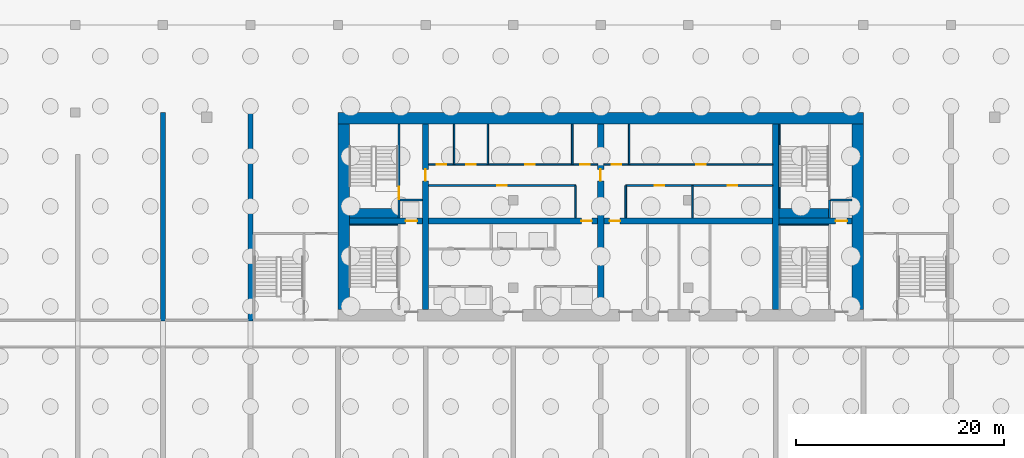
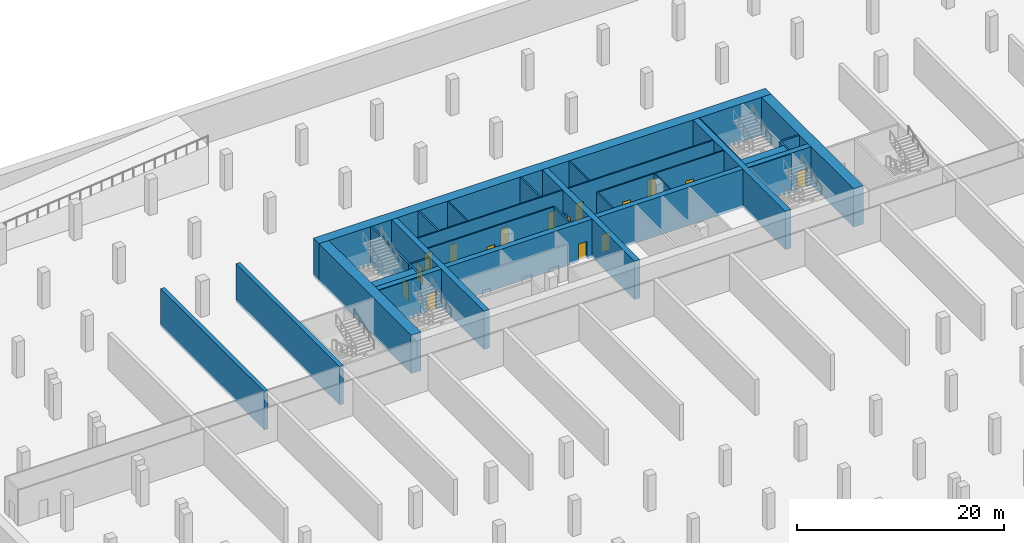
# One storey, part 9 of 17: 33 walls, 16 doors, 16 openings.
"""IFC4 building model written with IfcOpenShell, lengths in metres."""

import ifcopenshell
import ifcopenshell.guid

model = None  # the IFC model being written
_history = None  # IfcOwnerHistory: only IFC2X3 demands one
_inside = {}  # id of a spatial element -> (the spatial element, [elements in it])
_under = {}  # id of a project, library or spatial element -> (it, [spatial elements below it])
_declared = {}  # id of a project -> (the project, [libraries it declares])
_typed = {}  # id of a type object -> (the type object, [elements of that type])
_made_of = {}  # id of a material, layer set ... -> (it, [elements and type objects made of it])


def new_model(schema):
    """Start an empty IFC model of exactly this schema.

    Asked for "IFC4X3", IfcOpenShell would pick the latest addendum, in which some entities
    have other attributes; the version numbers below select the first issue.
    IFC2X3 requires an IfcOwnerHistory on every rooted entity: one is made here for all.
    """
    global model, _history
    if schema == "IFC4X3":
        model = ifcopenshell.file(schema_version=(4, 3, 0, 0))
    else:
        model = ifcopenshell.file(schema=schema)
    _inside.clear()
    _under.clear()
    _declared.clear()
    _typed.clear()
    _made_of.clear()
    _history = None
    if model.schema == "IFC2X3":
        org = make("IfcOrganization", Name="unknown")
        user = make(
            "IfcPersonAndOrganization",
            ThePerson=make("IfcPerson", FamilyName="unknown"),
            TheOrganization=org,
        )
        app = make(
            "IfcApplication",
            ApplicationDeveloper=org,
            Version="unknown",
            ApplicationFullName="unknown",
            ApplicationIdentifier="unknown",
        )
        _history = make(
            "IfcOwnerHistory",
            OwningUser=user,
            OwningApplication=app,
            ChangeAction="ADDED",
            CreationDate=0,
        )
    return model


def make(cls, **values):
    """One entity of the class cls with the attributes given. An attribute that is None is left unset."""
    return model.create_entity(
        cls, **{name: value for name, value in values.items() if value is not None}
    )


def rooted(cls, **values):
    """An entity with a GlobalId (a new one), such as an element, a storey or a relation."""
    return make(cls, GlobalId=ifcopenshell.guid.new(), OwnerHistory=_history, **values)


def si_unit(unit_type, name, prefix=None):
    """IfcSIUnit, for example si_unit("LENGTHUNIT", "METRE", prefix="MILLI")."""
    return make("IfcSIUnit", UnitType=unit_type, Prefix=prefix, Name=name)


def assignment(units):
    """IfcUnitAssignment: the units of a project."""
    return None if units is None else make("IfcUnitAssignment", Units=units)


def point(xyz):
    """IfcCartesianPoint."""
    return None if xyz is None else make("IfcCartesianPoint", Coordinates=xyz)


def direction(xyz):
    """IfcDirection."""
    return None if xyz is None else make("IfcDirection", DirectionRatios=xyz)


def frame(location, z_axis=None, x_axis=None):
    """IfcAxis2Placement3D, a coordinate frame: its origin and axes. An axis left out is left unset."""
    return make(
        "IfcAxis2Placement3D",
        Location=point(location),
        Axis=direction(z_axis),
        RefDirection=direction(x_axis),
    )


def frame_2d(location, x_axis=None):
    """IfcAxis2Placement2D, a coordinate frame in the plane: its origin and x axis."""
    return make(
        "IfcAxis2Placement2D", Location=point(location), RefDirection=direction(x_axis)
    )


def origin():
    """The frame at (0, 0, 0) with its axes left unset."""
    return frame((0.0, 0.0, 0.0))


def place(relative_to, where):
    """IfcLocalPlacement: puts the frame where relative to a parent placement (None: the world)."""
    return make(
        "IfcLocalPlacement", PlacementRelTo=relative_to, RelativePlacement=where
    )


def context(
    kind, dimensions, precision=None, world=None, true_north=None, identifier=None
):
    """IfcGeometricRepresentationContext, for example the 3D "Model" context."""
    return make(
        "IfcGeometricRepresentationContext",
        ContextIdentifier=identifier,
        ContextType=kind,
        CoordinateSpaceDimension=dimensions,
        Precision=precision,
        WorldCoordinateSystem=world,
        TrueNorth=true_north,
    )


def subcontext(parent, identifier, kind, view, scale=None):
    """IfcGeometricRepresentationSubContext, for example "Body" below "Model"."""
    return make(
        "IfcGeometricRepresentationSubContext",
        ContextIdentifier=identifier,
        ContextType=kind,
        ParentContext=parent,
        TargetScale=scale,
        TargetView=view,
    )


def project(units=None, contexts=None):
    """IfcProject with its units and contexts."""
    return rooted(
        "IfcProject",
        Name="project",
        RepresentationContexts=contexts,
        UnitsInContext=assignment(units),
    )


def spatial(cls, under=None, at=None, **own):
    """A site, building, storey or space (cls), placed at a placement, below another one or the project."""
    s = rooted(cls, ObjectPlacement=at, **own)
    if under is not None:
        _under.setdefault(under.id(), (under, []))[1].append(s)
    return s


def profile(cls, at=None, kind="AREA", **sizes):
    """A parametric profile (cls). Its sizes go by their IFC names, for example OverallWidth=200.0."""
    return make(cls, ProfileType=kind, Position=at, **sizes)


def rectangle(**sizes):
    """IfcRectangleProfileDef."""
    return profile("IfcRectangleProfileDef", **sizes)


def extrude(swept, where, along, depth):
    """IfcExtrudedAreaSolid: the profile swept, set in the frame where, extruded along a direction by depth."""
    return make(
        "IfcExtrudedAreaSolid",
        SweptArea=swept,
        Position=where,
        ExtrudedDirection=direction(along),
        Depth=depth,
    )


def shape(context_of_items, identifier, shape_type, items):
    """IfcShapeRepresentation: the items that make up one representation, for example the "Body"."""
    return make(
        "IfcShapeRepresentation",
        ContextOfItems=context_of_items,
        RepresentationIdentifier=identifier,
        RepresentationType=shape_type,
        Items=items,
    )


def source(mapping_origin, context_of_items, identifier, shape_type, items):
    """IfcRepresentationMap: a shape defined once, which mapped items show again and again."""
    return make(
        "IfcRepresentationMap",
        MappingOrigin=mapping_origin,
        MappedRepresentation=shape(context_of_items, identifier, shape_type, items),
    )


def transform(
    local_origin,
    x_axis=None,
    y_axis=None,
    z_axis=None,
    scale=None,
    scale2=None,
    scale3=None,
    uniform=True,
):
    """IfcCartesianTransformationOperator3D, or its non-uniform kind. x_axis, y_axis, z_axis: its Axis1, 2, 3."""
    if uniform:
        return make(
            "IfcCartesianTransformationOperator3D",
            Axis1=direction(x_axis),
            Axis2=direction(y_axis),
            LocalOrigin=point(local_origin),
            Scale=scale,
            Axis3=direction(z_axis),
        )
    return make(
        "IfcCartesianTransformationOperator3DnonUniform",
        Axis1=direction(x_axis),
        Axis2=direction(y_axis),
        LocalOrigin=point(local_origin),
        Scale=scale,
        Axis3=direction(z_axis),
        Scale2=scale2,
        Scale3=scale3,
    )


def mapped(mapping_source, mapping_target):
    """IfcMappedItem: shows the shape of a source again, moved by a transform."""
    return make(
        "IfcMappedItem", MappingSource=mapping_source, MappingTarget=mapping_target
    )


def material(Name=None, Category=None):
    """IfcMaterial."""
    return make("IfcMaterial", Name=Name, Category=Category)


def layer(
    of_material, thickness, ventilated=None, Name=None, Category=None, Priority=None
):
    """IfcMaterialLayer: one layer of a wall or slab, of a material (None: an air gap)."""
    return make(
        "IfcMaterialLayer",
        Material=of_material,
        LayerThickness=thickness,
        IsVentilated=ventilated,
        Name=Name,
        Category=Category,
        Priority=Priority,
    )


def layer_set(layers, Name=None):
    """IfcMaterialLayerSet."""
    return make("IfcMaterialLayerSet", MaterialLayers=layers, LayerSetName=Name)


def made_of(thing, what):
    """Note that an element or type object is made of a material, layer set ...; save() writes the relation."""
    if what is not None:
        _made_of.setdefault(what.id(), (what, []))[1].append(thing)
    return thing


def type_object(cls, material=None, **own):
    """A type object (cls), such as IfcWallType, which elements share."""
    return made_of(rooted(cls, **own), material)


def element(
    cls,
    number,
    at=None,
    inside=None,
    cuts=None,
    type_object=None,
    material=None,
    context=None,
    identifier="Body",
    shape_type=None,
    held_by="IfcProductDefinitionShape",
    body=None,
    shapes=None,
    **own,
):
    """One element of the class cls, such as IfcWall. Its Tag is "e" and its number.

    at: its placement. inside: the storey or other place that contains it. cuts: it is an
    opening in that element (IfcRelVoidsElement). A single representation is given by context,
    identifier, shape_type and body (its items); several are given by shapes. held_by: the class
    of the entity that holds the representations. save() writes the other relations.
    """
    e = rooted(cls, Tag="e%d" % number, ObjectPlacement=at, **own)
    if body is not None:
        shapes = [shape(context, identifier, shape_type, body)]
    if shapes is not None:
        e.Representation = make(held_by, Representations=shapes)
    if inside is not None:
        _inside.setdefault(inside.id(), (inside, []))[1].append(e)
    if cuts is not None:
        rooted(
            "IfcRelVoidsElement", RelatingBuildingElement=cuts, RelatedOpeningElement=e
        )
    if type_object is not None:
        _typed.setdefault(type_object.id(), (type_object, []))[1].append(e)
    return made_of(e, material)


def fill(opening, filler):
    """IfcRelFillsElement: the door or window that sits in an opening."""
    return rooted(
        "IfcRelFillsElement",
        RelatingOpeningElement=opening,
        RelatedBuildingElement=filler,
    )


def aggregate(whole, parts):
    """IfcRelAggregates: a whole, such as a stair, and the parts it consists of."""
    return rooted("IfcRelAggregates", RelatingObject=whole, RelatedObjects=parts)


def save(model, path):
    """Write the relations noted so far, then the file.

    IfcRelAggregates (storeys below a building ...), IfcRelContainedInSpatialStructure (elements
    in a storey), IfcRelDefinesByType, IfcRelAssociatesMaterial and IfcRelDeclares: one each for
    every whole, place, type object, material and project.
    """
    for whole, parts in _under.values():
        aggregate(whole, parts)
    for where, things in _inside.values():
        rooted(
            "IfcRelContainedInSpatialStructure",
            RelatedElements=things,
            RelatingStructure=where,
        )
    for kind, things in _typed.values():
        rooted("IfcRelDefinesByType", RelatedObjects=things, RelatingType=kind)
    for what, things in _made_of.values():
        rooted("IfcRelAssociatesMaterial", RelatedObjects=things, RelatingMaterial=what)
    for by, libraries in _declared.values():
        rooted("IfcRelDeclares", RelatingContext=by, RelatedDefinitions=libraries)
    model.write(path)


model = new_model("IFC4")

# Units and contexts
model_context = context("Model", 3, precision=1e-05, world=origin(), true_north=direction((0.0, 1.0)))
body_context = subcontext(model_context, "Body", "Model", "MODEL_VIEW")
ifc_project = project(units=[si_unit("LENGTHUNIT", "METRE"), si_unit("AREAUNIT", "SQUARE_METRE"), si_unit("VOLUMEUNIT", "CUBIC_METRE"), si_unit("PLANEANGLEUNIT", "RADIAN"), si_unit("MASSUNIT", "GRAM", prefix="KILO")], contexts=[model_context])

# Site, building, storey
site_placement = place(None, origin())
site = spatial("IfcSite", under=ifc_project, at=site_placement, CompositionType="ELEMENT")
building_placement = place(site_placement, origin())
building = spatial("IfcBuilding", under=site, at=building_placement, Name="Vanashikhar Sky Hotel", CompositionType="ELEMENT")
storey_placement = place(building_placement, frame((0.0, 0.0, -13.5)))
storey = spatial("IfcBuildingStorey", under=building, at=storey_placement, Name="B3", CompositionType="ELEMENT", Elevation=-13.5)

# Walls
ifc_material_1 = material(Name="Concrete M80", Category="concrete")
ifc_layer_1 = layer(ifc_material_1, 1.10009765625)
ifc_layer_set_1 = layer_set([ifc_layer_1], Name="RC core shell wall 1100 Concrete M80")
wall_type_1 = type_object("IfcWallType", Name="RC core shell wall 1100 Concrete M80", PredefinedType="SHEAR", material=ifc_layer_set_1)
shared_shape_1 = source(origin(), body_context, "Body", "SweptSolid", [
    extrude(rectangle(XDim=50.400146484375, YDim=1.10009765625, at=frame_2d((25.2001953125, 0.0))), origin(), (0.0, 0.0, 1.0), 4.52001953125),
])
wall_1_placement = place(storey_placement, frame((25.199951171875, 41.449951171875, -0.300048828125), z_axis=(0.0, 0.0, 1.0), x_axis=(1.0, 0.0, 0.0)))
element("IfcWall", 1, at=wall_1_placement, inside=storey, type_object=wall_type_1, Name="KW-B3-KN", PredefinedType="SHEAR", context=body_context, shape_type="MappedRepresentation", body=[
    mapped(shared_shape_1, transform((0.0, 0.0, 0.0), scale=1.0)),
])
shared_shape_2 = source(origin(), body_context, "Body", "SweptSolid", [
    extrude(rectangle(XDim=17.7998046875, YDim=1.10009765625, at=frame_2d((8.89990234375, 0.0))), origin(), (0.0, 0.0, 1.0), 4.52001953125),
])
for number, where, z_axis, x_axis, name in (
    (2, (25.75, 23.10009765625, -0.300048828125), (0.0, 0.0, 1.0), (0.0, 1.0, 0.0), "KW-B3-KW"),
    (3, (75.050048828125, 23.10009765625, -0.300048828125), (0.0, 0.0, 1.0), (0.0, 1.0, 0.0), "KW-B3-KE"),
):
    element("IfcWall", number, at=place(storey_placement, frame(where, z_axis=z_axis, x_axis=x_axis)), inside=storey, type_object=wall_type_1, Name=name, PredefinedType="SHEAR", context=body_context, shape_type="MappedRepresentation", body=[
        mapped(shared_shape_2, transform((0.0, 0.0, 0.0), scale=1.0)),
    ])

# Wall, opening, door
ifc_layer_2 = layer(ifc_material_1, 0.60009765625)
ifc_layer_set_2 = layer_set([ifc_layer_2], Name="RC core inner wall 600 Concrete M80")
wall_type_2 = type_object("IfcWallType", Name="RC core inner wall 600 Concrete M80", PredefinedType="SHEAR", material=ifc_layer_set_2)
shared_shape_3 = source(origin(), body_context, "Body", "SweptSolid", [
    extrude(rectangle(XDim=17.7998046875, YDim=0.60009765625, at=frame_2d((8.89990234375, 0.0))), origin(), (0.0, 0.0, 1.0), 4.52001953125),
])
wall_2_placement = place(storey_placement, frame((33.60009765625, 23.10009765625, -0.300048828125), z_axis=(0.0, 0.0, 1.0), x_axis=(0.0, 1.0, 0.0)))
wall_2 = element("IfcWall", 4, at=wall_2_placement, inside=storey, type_object=wall_type_2, Name="KW-B3-KX1", PredefinedType="SHEAR", context=body_context, shape_type="MappedRepresentation", body=[
    mapped(shared_shape_3, transform((0.0, 0.0, 0.0), scale=1.0)),
])
shared_shape_4 = source(origin(), body_context, "Body", "SweptSolid", [
    extrude(rectangle(XDim=1.10009765625, YDim=2.10009765625, at=frame_2d((0.550048828125, 1.050048828125))), frame((0.0, 0.31005859375, 0.0), z_axis=(0.0, -1.0, 0.0), x_axis=(1.0, 0.0, 0.0)), (0.0, 0.0, 1.0), 0.6201171875),
])
opening_1_placement = place(wall_2_placement, frame((12.35009765625, 0.0, 0.0)))
opening_1 = element("IfcOpeningElement", 5, at=opening_1_placement, cuts=wall_2, Name="Opening DC-4-C", PredefinedType="OPENING", context=body_context, shape_type="MappedRepresentation", body=[
    mapped(shared_shape_4, transform((0.0, 0.0, 0.0), scale=1.0)),
])
ifc_material_2 = material(Name="Steel", Category="steel")
door_type_1 = type_object("IfcDoorType", Name="Service door 1100 FD60", OperationType="NOTDEFINED", PredefinedType="DOOR", material=ifc_material_2)
shared_shape_5 = source(origin(), body_context, "Body", "SweptSolid", [
    extrude(rectangle(XDim=1.10009765625, YDim=2.10009765625, at=frame_2d((0.550048828125, 1.050048828125))), frame((0.0, 0.02490234375, 0.0), z_axis=(0.0, -1.0, 0.0), x_axis=(1.0, 0.0, 0.0)), (0.0, 0.0, 1.0), 0.050048828125),
])
door_1_placement = place(opening_1_placement, origin())
door_1 = element("IfcDoor", 6, at=door_1_placement, inside=storey, type_object=door_type_1, Name="Service door 1100 FD60", OperationType="SINGLE_SWING_RIGHT", OverallHeight=2.10009765625, OverallWidth=1.10009765625, PredefinedType="DOOR", context=body_context, shape_type="MappedRepresentation", body=[
    mapped(shared_shape_5, transform((0.0, 0.0, 0.0), scale=1.0)),
])
fill(opening_1, door_1)

wall_3_placement = place(storey_placement, frame((50.39990234375, 23.10009765625, -0.300048828125), z_axis=(0.0, 0.0, 1.0), x_axis=(0.0, 1.0, 0.0)))
wall_3 = element("IfcWall", 7, at=wall_3_placement, inside=storey, type_object=wall_type_2, Name="KW-B3-KX2", PredefinedType="SHEAR", context=body_context, shape_type="MappedRepresentation", body=[
    mapped(shared_shape_3, transform((0.0, 0.0, 0.0), scale=1.0)),
])
opening_2_placement = place(wall_3_placement, frame((12.35009765625, 0.0, 0.0)))
opening_2 = element("IfcOpeningElement", 8, at=opening_2_placement, cuts=wall_3, Name="Opening DC-4-C", PredefinedType="OPENING", context=body_context, shape_type="MappedRepresentation", body=[
    mapped(shared_shape_4, transform((0.0, 0.0, 0.0), scale=1.0)),
])
door_2_placement = place(opening_2_placement, origin())
door_2 = element("IfcDoor", 9, at=door_2_placement, inside=storey, type_object=door_type_1, Name="Service door 1100 FD60", OperationType="SINGLE_SWING_LEFT", OverallHeight=2.10009765625, OverallWidth=1.10009765625, PredefinedType="DOOR", context=body_context, shape_type="MappedRepresentation", body=[
    mapped(shared_shape_5, transform((0.0, 0.0, 0.0), scale=1.0)),
])
fill(opening_2, door_2)

# Wall
wall_4_placement = place(storey_placement, frame((67.199951171875, 23.10009765625, -0.300048828125), z_axis=(0.0, 0.0, 1.0), x_axis=(0.0, 1.0, 0.0)))
element("IfcWall", 10, at=wall_4_placement, inside=storey, type_object=wall_type_2, Name="KW-B3-KX3", PredefinedType="SHEAR", context=body_context, shape_type="MappedRepresentation", body=[
    mapped(shared_shape_3, transform((0.0, 0.0, 0.0), scale=1.0)),
])

# Wall, opening, door
shared_shape_6 = source(origin(), body_context, "Body", "SweptSolid", [
    extrude(rectangle(XDim=7.0, YDim=0.60009765625, at=frame_2d((3.5, 0.0))), origin(), (0.0, 0.0, 1.0), 4.52001953125),
])
wall_5_placement = place(storey_placement, frame((26.300048828125, 31.60009765625, -0.300048828125), z_axis=(0.0, 0.0, 1.0), x_axis=(1.0, 0.0, 0.0)))
wall_5 = element("IfcWall", 11, at=wall_5_placement, inside=storey, type_object=wall_type_2, Name="KW-B3-KY1", PredefinedType="SHEAR", context=body_context, shape_type="MappedRepresentation", body=[
    mapped(shared_shape_6, transform((0.0, 0.0, 0.0), scale=1.0)),
])
opening_3_placement = place(wall_5_placement, frame((5.375, 0.0, 0.0)))
opening_3 = element("IfcOpeningElement", 12, at=opening_3_placement, cuts=wall_5, Name="Opening LD", PredefinedType="OPENING", context=body_context, shape_type="MappedRepresentation", body=[
    mapped(shared_shape_4, transform((0.0, 0.0, 0.0), scale=1.0)),
])
ifc_material_3 = material(Name="Stainless steel", Category="steel")
door_type_2 = type_object("IfcDoorType", Name="Lift landing door 1100", OperationType="NOTDEFINED", PredefinedType="DOOR", material=ifc_material_3)
door_3_placement = place(opening_3_placement, origin())
door_3 = element("IfcDoor", 13, at=door_3_placement, inside=storey, type_object=door_type_2, Name="Lift landing door 1100", OperationType="SLIDING_TO_RIGHT", OverallHeight=2.10009765625, OverallWidth=1.10009765625, PredefinedType="DOOR", context=body_context, shape_type="MappedRepresentation", body=[
    mapped(shared_shape_5, transform((0.0, 0.0, 0.0), scale=1.0)),
])
fill(opening_3, door_3)

wall_6_placement = place(storey_placement, frame((67.5, 31.60009765625, -0.300048828125), z_axis=(0.0, 0.0, 1.0), x_axis=(1.0, 0.0, 0.0)))
wall_6 = element("IfcWall", 14, at=wall_6_placement, inside=storey, type_object=wall_type_2, Name="KW-B3-KY4", PredefinedType="SHEAR", context=body_context, shape_type="MappedRepresentation", body=[
    mapped(shared_shape_6, transform((0.0, 0.0, 0.0), scale=1.0)),
])
opening_4_placement = place(wall_6_placement, frame((5.425048828125, 0.0, 0.0)))
opening_4 = element("IfcOpeningElement", 15, at=opening_4_placement, cuts=wall_6, Name="Opening LD", PredefinedType="OPENING", context=body_context, shape_type="MappedRepresentation", body=[
    mapped(shared_shape_4, transform((0.0, 0.0, 0.0), scale=1.0)),
])
door_4_placement = place(opening_4_placement, origin())
door_4 = element("IfcDoor", 16, at=door_4_placement, inside=storey, type_object=door_type_2, Name="Lift landing door 1100", OperationType="SLIDING_TO_RIGHT", OverallHeight=2.10009765625, OverallWidth=1.10009765625, PredefinedType="DOOR", context=body_context, shape_type="MappedRepresentation", body=[
    mapped(shared_shape_5, transform((0.0, 0.0, 0.0), scale=1.0)),
])
fill(opening_4, door_4)

shared_shape_7 = source(origin(), body_context, "Body", "SweptSolid", [
    extrude(rectangle(XDim=16.2001953125, YDim=0.60009765625, at=frame_2d((8.10009765625, 0.0))), origin(), (0.0, 0.0, 1.0), 4.52001953125),
])
wall_7_placement = place(storey_placement, frame((33.89990234375, 31.60009765625, -0.300048828125), z_axis=(0.0, 0.0, 1.0), x_axis=(1.0, 0.0, 0.0)))
wall_7 = element("IfcWall", 17, at=wall_7_placement, inside=storey, type_object=wall_type_2, Name="KW-B3-KY2", PredefinedType="SHEAR", context=body_context, shape_type="MappedRepresentation", body=[
    mapped(shared_shape_7, transform((0.0, 0.0, 0.0), scale=1.0)),
])
shared_shape_8 = source(origin(), body_context, "Body", "SweptSolid", [
    extrude(rectangle(XDim=1.0, YDim=2.10009765625, at=frame_2d((0.5, 1.050048828125))), frame((0.0, 0.31005859375, 0.0), z_axis=(0.0, -1.0, 0.0), x_axis=(1.0, 0.0, 0.0)), (0.0, 0.0, 1.0), 0.6201171875),
])
opening_5_placement = place(wall_7_placement, frame((14.64990234375, 0.0, 0.0)))
opening_5 = element("IfcOpeningElement", 18, at=opening_5_placement, cuts=wall_7, Name="Opening DC-4", PredefinedType="OPENING", context=body_context, shape_type="MappedRepresentation", body=[
    mapped(shared_shape_8, transform((0.0, 0.0, 0.0), scale=1.0)),
])
door_type_3 = type_object("IfcDoorType", Name="Service door 1000 FD60", OperationType="NOTDEFINED", PredefinedType="DOOR", material=ifc_material_2)
shared_shape_9 = source(origin(), body_context, "Body", "SweptSolid", [
    extrude(rectangle(XDim=1.0, YDim=2.10009765625, at=frame_2d((0.5, 1.050048828125))), frame((0.0, 0.02490234375, 0.0), z_axis=(0.0, -1.0, 0.0), x_axis=(1.0, 0.0, 0.0)), (0.0, 0.0, 1.0), 0.050048828125),
])
door_5_placement = place(opening_5_placement, origin())
door_5 = element("IfcDoor", 19, at=door_5_placement, inside=storey, type_object=door_type_3, Name="Service door 1000 FD60", OperationType="SINGLE_SWING_RIGHT", OverallHeight=2.10009765625, OverallWidth=1.0, PredefinedType="DOOR", context=body_context, shape_type="MappedRepresentation", body=[
    mapped(shared_shape_9, transform((0.0, 0.0, 0.0), scale=1.0)),
])
fill(opening_5, door_5)

shared_shape_10 = source(origin(), body_context, "Body", "SweptSolid", [
    extrude(rectangle(XDim=16.199951171875, YDim=0.60009765625, at=frame_2d((8.10009765625, 0.0))), origin(), (0.0, 0.0, 1.0), 4.52001953125),
])
wall_8_placement = place(storey_placement, frame((50.699951171875, 31.60009765625, -0.300048828125), z_axis=(0.0, 0.0, 1.0), x_axis=(1.0, 0.0, 0.0)))
wall_8 = element("IfcWall", 20, at=wall_8_placement, inside=storey, type_object=wall_type_2, Name="KW-B3-KY3", PredefinedType="SHEAR", context=body_context, shape_type="MappedRepresentation", body=[
    mapped(shared_shape_10, transform((0.0, 0.0, 0.0), scale=1.0)),
])
opening_6_placement = place(wall_8_placement, frame((0.550048828125, 0.0, 0.0)))
opening_6 = element("IfcOpeningElement", 21, at=opening_6_placement, cuts=wall_8, Name="Opening DC-4", PredefinedType="OPENING", context=body_context, shape_type="MappedRepresentation", body=[
    mapped(shared_shape_8, transform((0.0, 0.0, 0.0), scale=1.0)),
])
door_6_placement = place(opening_6_placement, origin())
door_6 = element("IfcDoor", 22, at=door_6_placement, inside=storey, type_object=door_type_3, Name="Service door 1000 FD60", OperationType="SINGLE_SWING_RIGHT", OverallHeight=2.10009765625, OverallWidth=1.0, PredefinedType="DOOR", context=body_context, shape_type="MappedRepresentation", body=[
    mapped(shared_shape_9, transform((0.0, 0.0, 0.0), scale=1.0)),
])
fill(opening_6, door_6)

# Walls
ifc_layer_3 = layer(ifc_material_1, 0.449951171875)
ifc_layer_set_3 = layer_set([ifc_layer_3], Name="RC shear wall 450 Concrete M80")
wall_type_3 = type_object("IfcWallType", Name="RC shear wall 450 Concrete M80", PredefinedType="SHEAR", material=ifc_layer_set_3)
shared_shape_11 = source(origin(), body_context, "Body", "SweptSolid", [
    extrude(rectangle(XDim=20.0, YDim=0.449951171875, at=frame_2d((10.0, 0.0))), origin(), (0.0, 0.0, 1.0), 4.52001953125),
])
for number, where, z_axis, x_axis, name in (
    (23, (8.39990234375, 22.0, -0.300048828125), (0.0, 0.0, 1.0), (0.0, 1.0, 0.0), "CW-B3-XW02-2"),
    (24, (16.800048828125, 22.0, -0.300048828125), (0.0, 0.0, 1.0), (0.0, 1.0, 0.0), "CW-B3-XW03-2"),
):
    element("IfcWall", number, at=place(storey_placement, frame(where, z_axis=z_axis, x_axis=x_axis)), inside=storey, type_object=wall_type_3, Name=name, PredefinedType="SHEAR", context=body_context, shape_type="MappedRepresentation", body=[
        mapped(shared_shape_11, transform((0.0, 0.0, 0.0), scale=1.0)),
    ])
ifc_material_4 = material(Name="Gypsum board partition")
ifc_layer_4 = layer(ifc_material_4, 0.14990234375)
ifc_layer_set_4 = layer_set([ifc_layer_4], Name="Service partition 150")
wall_type_4 = type_object("IfcWallType", Name="Service partition 150", PredefinedType="PARTITIONING", material=ifc_layer_set_4)
shared_shape_12 = source(origin(), body_context, "Body", "SweptSolid", [
    extrude(rectangle(XDim=3.10009765625, YDim=0.14990234375, at=frame_2d((1.550048828125, 0.0))), origin(), (0.0, 0.0, 1.0), 4.219970703125),
])
for number, where, z_axis, x_axis, name in (
    (25, (48.0, 31.89990234375, 0.0), (0.0, 0.0, 1.0), (0.0, 1.0, 0.0), "Service partition 150"),
    (26, (52.800048828125, 31.89990234375, 0.0), (0.0, 0.0, 1.0), (0.0, 1.0, 0.0), "Service partition 150"),
    (27, (59.18603515625, 31.89990234375, 0.0), (0.0, 0.0, 1.0), (0.0, 1.0, 0.0), "Service partition 150"),
):
    element("IfcWall", number, at=place(storey_placement, frame(where, z_axis=z_axis, x_axis=x_axis)), inside=storey, type_object=wall_type_4, Name=name, PredefinedType="PARTITIONING", context=body_context, shape_type="MappedRepresentation", body=[
        mapped(shared_shape_12, transform((0.0, 0.0, 0.0), scale=1.0)),
    ])

# Wall, opening, door
shared_shape_13 = source(origin(), body_context, "Body", "SweptSolid", [
    extrude(rectangle(XDim=14.10009765625, YDim=0.14990234375, at=frame_2d((7.050048828125, 0.0))), origin(), (0.0, 0.0, 1.0), 4.219970703125),
])
wall_9_placement = place(storey_placement, frame((33.89990234375, 35.0, 0.0), z_axis=(0.0, 0.0, 1.0), x_axis=(1.0, 0.0, 0.0)))
wall_9 = element("IfcWall", 28, at=wall_9_placement, inside=storey, type_object=wall_type_4, Name="Service partition 150", PredefinedType="PARTITIONING", context=body_context, shape_type="MappedRepresentation", body=[
    mapped(shared_shape_13, transform((0.0, 0.0, 0.0), scale=1.0)),
])
shared_shape_14 = source(origin(), body_context, "Body", "SweptSolid", [
    extrude(rectangle(XDim=0.89990234375, YDim=2.10009765625, at=frame_2d((0.449951171875, 1.050048828125))), frame((0.0, 0.0849609375, 0.0), z_axis=(0.0, -1.0, 0.0), x_axis=(1.0, 0.0, 0.0)), (0.0, 0.0, 1.0), 0.169921875),
])
opening_7_placement = place(wall_9_placement, frame((6.56201171875, 0.0, 0.0)))
opening_7 = element("IfcOpeningElement", 29, at=opening_7_placement, cuts=wall_9, Name="Opening DC-4-A", PredefinedType="OPENING", context=body_context, shape_type="MappedRepresentation", body=[
    mapped(shared_shape_14, transform((0.0, 0.0, 0.0), scale=1.0)),
])
door_type_4 = type_object("IfcDoorType", Name="Service door 900 FD60", OperationType="NOTDEFINED", PredefinedType="DOOR", material=ifc_material_2)
shared_shape_15 = source(origin(), body_context, "Body", "SweptSolid", [
    extrude(rectangle(XDim=0.89990234375, YDim=2.10009765625, at=frame_2d((0.449951171875, 1.050048828125))), frame((0.0, 0.02490234375, 0.0), z_axis=(0.0, -1.0, 0.0), x_axis=(1.0, 0.0, 0.0)), (0.0, 0.0, 1.0), 0.050048828125),
])
door_7_placement = place(opening_7_placement, origin())
door_7 = element("IfcDoor", 30, at=door_7_placement, inside=storey, type_object=door_type_4, Name="Service door 900 FD60", OperationType="SINGLE_SWING_LEFT", OverallHeight=2.10009765625, OverallWidth=0.89990234375, PredefinedType="DOOR", context=body_context, shape_type="MappedRepresentation", body=[
    mapped(shared_shape_15, transform((0.0, 0.0, 0.0), scale=1.0)),
])
fill(opening_7, door_7)

# Wall, openings, doors
shared_shape_16 = source(origin(), body_context, "Body", "SweptSolid", [
    extrude(rectangle(XDim=16.2001953125, YDim=0.14990234375, at=frame_2d((8.10009765625, 0.0))), origin(), (0.0, 0.0, 1.0), 4.219970703125),
])
wall_10_placement = place(storey_placement, frame((33.89990234375, 37.0, 0.0), z_axis=(0.0, 0.0, 1.0), x_axis=(1.0, 0.0, 0.0)))
wall_10 = element("IfcWall", 31, at=wall_10_placement, inside=storey, type_object=wall_type_4, Name="Service partition 150", PredefinedType="PARTITIONING", context=body_context, shape_type="MappedRepresentation", body=[
    mapped(shared_shape_16, transform((0.0, 0.0, 0.0), scale=1.0)),
])
opening_8_placement = place(wall_10_placement, frame((0.764892578125, 0.0, 0.0)))
opening_8 = element("IfcOpeningElement", 32, at=opening_8_placement, cuts=wall_10, Name="Opening DC-4-A", PredefinedType="OPENING", context=body_context, shape_type="MappedRepresentation", body=[
    mapped(shared_shape_14, transform((0.0, 0.0, 0.0), scale=1.0)),
])
opening_9_placement = place(wall_10_placement, frame((3.60009765625, 0.0, 0.0)))
opening_9 = element("IfcOpeningElement", 33, at=opening_9_placement, cuts=wall_10, Name="Opening DC-4-A", PredefinedType="OPENING", context=body_context, shape_type="MappedRepresentation", body=[
    mapped(shared_shape_14, transform((0.0, 0.0, 0.0), scale=1.0)),
])
opening_10_placement = place(wall_10_placement, frame((9.27001953125, 0.0, 0.0)))
opening_10 = element("IfcOpeningElement", 34, at=opening_10_placement, cuts=wall_10, Name="Opening DC-4-A", PredefinedType="OPENING", context=body_context, shape_type="MappedRepresentation", body=[
    mapped(shared_shape_14, transform((0.0, 0.0, 0.0), scale=1.0)),
])
opening_11_placement = place(wall_10_placement, frame((14.534912109375, 0.0, 0.0)))
opening_11 = element("IfcOpeningElement", 35, at=opening_11_placement, cuts=wall_10, Name="Opening DC-4-A", PredefinedType="OPENING", context=body_context, shape_type="MappedRepresentation", body=[
    mapped(shared_shape_14, transform((0.0, 0.0, 0.0), scale=1.0)),
])
door_8_placement = place(opening_8_placement, origin())
door_8 = element("IfcDoor", 36, at=door_8_placement, inside=storey, type_object=door_type_4, Name="Service door 900 FD60", OperationType="SINGLE_SWING_RIGHT", OverallHeight=2.10009765625, OverallWidth=0.89990234375, PredefinedType="DOOR", context=body_context, shape_type="MappedRepresentation", body=[
    mapped(shared_shape_15, transform((0.0, 0.0, 0.0), scale=1.0)),
])
fill(opening_8, door_8)
door_9_placement = place(opening_9_placement, origin())
door_9 = element("IfcDoor", 37, at=door_9_placement, inside=storey, type_object=door_type_4, Name="Service door 900 FD60", OperationType="SINGLE_SWING_RIGHT", OverallHeight=2.10009765625, OverallWidth=0.89990234375, PredefinedType="DOOR", context=body_context, shape_type="MappedRepresentation", body=[
    mapped(shared_shape_15, transform((0.0, 0.0, 0.0), scale=1.0)),
])
fill(opening_9, door_9)
door_10_placement = place(opening_10_placement, origin())
door_10 = element("IfcDoor", 38, at=door_10_placement, inside=storey, type_object=door_type_4, Name="Service door 900 FD60", OperationType="SINGLE_SWING_LEFT", OverallHeight=2.10009765625, OverallWidth=0.89990234375, PredefinedType="DOOR", context=body_context, shape_type="MappedRepresentation", body=[
    mapped(shared_shape_15, transform((0.0, 0.0, 0.0), scale=1.0)),
])
fill(opening_10, door_10)
door_11_placement = place(opening_11_placement, origin())
door_11 = element("IfcDoor", 39, at=door_11_placement, inside=storey, type_object=door_type_4, Name="Service door 900 FD60", OperationType="SINGLE_SWING_LEFT", OverallHeight=2.10009765625, OverallWidth=0.89990234375, PredefinedType="DOOR", context=body_context, shape_type="MappedRepresentation", body=[
    mapped(shared_shape_15, transform((0.0, 0.0, 0.0), scale=1.0)),
])
fill(opening_11, door_11)

# Walls
shared_shape_17 = source(origin(), body_context, "Body", "SweptSolid", [
    extrude(rectangle(XDim=3.89990234375, YDim=0.14990234375, at=frame_2d((1.949951171875, 0.0))), origin(), (0.0, 0.0, 1.0), 4.219970703125),
])
for number, where, z_axis, x_axis, name in (
    (40, (36.330078125, 37.0, 0.0), (0.0, 0.0, 1.0), (0.0, 1.0, 0.0), "Service partition 150"),
    (41, (39.570068359375, 37.0, 0.0), (0.0, 0.0, 1.0), (0.0, 1.0, 0.0), "Service partition 150"),
    (42, (47.669921875, 37.0, 0.0), (0.0, 0.0, 1.0), (0.0, 1.0, 0.0), "Service partition 150"),
    (43, (53.1298828125, 37.0, 0.0), (0.0, 0.0, 1.0), (0.0, 1.0, 0.0), "Service partition 150"),
):
    element("IfcWall", number, at=place(storey_placement, frame(where, z_axis=z_axis, x_axis=x_axis)), inside=storey, type_object=wall_type_4, Name=name, PredefinedType="PARTITIONING", context=body_context, shape_type="MappedRepresentation", body=[
        mapped(shared_shape_17, transform((0.0, 0.0, 0.0), scale=1.0)),
    ])

# Wall, openings, doors
shared_shape_18 = source(origin(), body_context, "Body", "SweptSolid", [
    extrude(rectangle(XDim=14.099853515625, YDim=0.14990234375, at=frame_2d((7.0498046875, 0.0))), origin(), (0.0, 0.0, 1.0), 4.219970703125),
])
wall_11_placement = place(storey_placement, frame((66.89990234375, 35.0, 0.0), z_axis=(0.0, 0.0, 1.0), x_axis=(-1.0, 0.0, 0.0)))
wall_11 = element("IfcWall", 44, at=wall_11_placement, inside=storey, type_object=wall_type_4, Name="Service partition 150", PredefinedType="PARTITIONING", context=body_context, shape_type="MappedRepresentation", body=[
    mapped(shared_shape_18, transform((0.0, 0.0, 0.0), scale=1.0)),
])
opening_12_placement = place(wall_11_placement, frame((3.406982421875, 0.0, 0.0)))
opening_12 = element("IfcOpeningElement", 45, at=opening_12_placement, cuts=wall_11, Name="Opening DC-4-A", PredefinedType="OPENING", context=body_context, shape_type="MappedRepresentation", body=[
    mapped(shared_shape_14, transform((0.0, 0.0, 0.0), scale=1.0)),
])
opening_13_placement = place(wall_11_placement, frame((10.4189453125, 0.0, 0.0)))
opening_13 = element("IfcOpeningElement", 46, at=opening_13_placement, cuts=wall_11, Name="Opening DC-4-A", PredefinedType="OPENING", context=body_context, shape_type="MappedRepresentation", body=[
    mapped(shared_shape_14, transform((0.0, 0.0, 0.0), scale=1.0)),
])
door_12_placement = place(opening_12_placement, origin())
door_12 = element("IfcDoor", 47, at=door_12_placement, inside=storey, type_object=door_type_4, Name="Service door 900 FD60", OperationType="SINGLE_SWING_RIGHT", OverallHeight=2.10009765625, OverallWidth=0.89990234375, PredefinedType="DOOR", context=body_context, shape_type="MappedRepresentation", body=[
    mapped(shared_shape_15, transform((0.0, 0.0, 0.0), scale=1.0)),
])
fill(opening_12, door_12)
door_13_placement = place(opening_13_placement, origin())
door_13 = element("IfcDoor", 48, at=door_13_placement, inside=storey, type_object=door_type_4, Name="Service door 900 FD60", OperationType="SINGLE_SWING_LEFT", OverallHeight=2.10009765625, OverallWidth=0.89990234375, PredefinedType="DOOR", context=body_context, shape_type="MappedRepresentation", body=[
    mapped(shared_shape_15, transform((0.0, 0.0, 0.0), scale=1.0)),
])
fill(opening_13, door_13)

shared_shape_19 = source(origin(), body_context, "Body", "SweptSolid", [
    extrude(rectangle(XDim=16.199951171875, YDim=0.14990234375, at=frame_2d((8.10009765625, 0.0))), origin(), (0.0, 0.0, 1.0), 4.219970703125),
])
wall_12_placement = place(storey_placement, frame((66.89990234375, 37.0, 0.0), z_axis=(0.0, 0.0, 1.0), x_axis=(-1.0, 0.0, 0.0)))
wall_12 = element("IfcWall", 49, at=wall_12_placement, inside=storey, type_object=wall_type_4, Name="Service partition 150", PredefinedType="PARTITIONING", context=body_context, shape_type="MappedRepresentation", body=[
    mapped(shared_shape_19, transform((0.0, 0.0, 0.0), scale=1.0)),
])
opening_14_placement = place(wall_12_placement, frame((6.43505859375, 0.0, 0.0)))
opening_14 = element("IfcOpeningElement", 50, at=opening_14_placement, cuts=wall_12, Name="Opening DC-4-A", PredefinedType="OPENING", context=body_context, shape_type="MappedRepresentation", body=[
    mapped(shared_shape_14, transform((0.0, 0.0, 0.0), scale=1.0)),
])
opening_15_placement = place(wall_12_placement, frame((14.534912109375, 0.0, 0.0)))
opening_15 = element("IfcOpeningElement", 51, at=opening_15_placement, cuts=wall_12, Name="Opening DC-4-A", PredefinedType="OPENING", context=body_context, shape_type="MappedRepresentation", body=[
    mapped(shared_shape_14, transform((0.0, 0.0, 0.0), scale=1.0)),
])
door_14_placement = place(opening_14_placement, origin())
door_14 = element("IfcDoor", 52, at=door_14_placement, inside=storey, type_object=door_type_4, Name="Service door 900 FD60", OperationType="SINGLE_SWING_RIGHT", OverallHeight=2.10009765625, OverallWidth=0.89990234375, PredefinedType="DOOR", context=body_context, shape_type="MappedRepresentation", body=[
    mapped(shared_shape_15, transform((0.0, 0.0, 0.0), scale=1.0)),
])
fill(opening_14, door_14)
door_15_placement = place(opening_15_placement, origin())
door_15 = element("IfcDoor", 53, at=door_15_placement, inside=storey, type_object=door_type_4, Name="Service door 900 FD60", OperationType="SINGLE_SWING_RIGHT", OverallHeight=2.10009765625, OverallWidth=0.89990234375, PredefinedType="DOOR", context=body_context, shape_type="MappedRepresentation", body=[
    mapped(shared_shape_15, transform((0.0, 0.0, 0.0), scale=1.0)),
])
fill(opening_15, door_15)

# Walls
ifc_material_5 = material(Name="Concrete M40", Category="concrete")
ifc_layer_5 = layer(ifc_material_5, 0.199951171875)
ifc_layer_set_5 = layer_set([ifc_layer_5], Name="Shaft wall 200")
wall_type_5 = type_object("IfcWallType", Name="Shaft wall 200", PredefinedType="SOLIDWALL", material=ifc_layer_set_5)
shared_shape_20 = source(origin(), body_context, "Body", "SweptSolid", [
    extrude(rectangle(XDim=1.7001953125, YDim=0.199951171875, at=frame_2d((0.85009765625, 0.0))), origin(), (0.0, 0.0, 1.0), 4.219970703125),
])
for number, where, z_axis, x_axis, name in (
    (54, (31.050048828125, 31.89990234375, 0.0), (0.0, 0.0, 1.0), (0.0, 1.0, 0.0), "Shaft wall 200"),
    (55, (72.35009765625, 31.89990234375, 0.0), (0.0, 0.0, 1.0), (0.0, 1.0, 0.0), "Shaft wall 200"),
):
    element("IfcWall", number, at=place(storey_placement, frame(where, z_axis=z_axis, x_axis=x_axis)), inside=storey, type_object=wall_type_5, Name=name, PredefinedType="SOLIDWALL", context=body_context, shape_type="MappedRepresentation", body=[
        mapped(shared_shape_20, transform((0.0, 0.0, 0.0), scale=1.0)),
    ])
shared_shape_21 = source(origin(), body_context, "Body", "SweptSolid", [
    extrude(rectangle(XDim=2.150146484375, YDim=0.199951171875, at=frame_2d((1.0751953125, 0.0))), origin(), (0.0, 0.0, 1.0), 4.219970703125),
])
wall_13_placement = place(storey_placement, frame((31.14990234375, 33.60009765625, 0.0), z_axis=(0.0, 0.0, 1.0), x_axis=(1.0, 0.0, 0.0)))
element("IfcWall", 56, at=wall_13_placement, inside=storey, type_object=wall_type_5, Name="Shaft wall 200", PredefinedType="SOLIDWALL", context=body_context, shape_type="MappedRepresentation", body=[
    mapped(shared_shape_21, transform((0.0, 0.0, 0.0), scale=1.0)),
])

# Wall, opening, door
ifc_material_6 = material(Name="Concrete M50", Category="concrete")
ifc_layer_6 = layer(ifc_material_6, 0.199951171875)
ifc_layer_set_6 = layer_set([ifc_layer_6], Name="Stair wall 200")
wall_type_6 = type_object("IfcWallType", Name="Stair wall 200", PredefinedType="SOLIDWALL", material=ifc_layer_set_6)
shared_shape_22 = source(origin(), body_context, "Body", "SweptSolid", [
    extrude(rectangle(XDim=7.2998046875, YDim=0.199951171875, at=frame_2d((3.64990234375, 0.0))), origin(), (0.0, 0.0, 1.0), 4.52001953125),
])
wall_14_placement = place(storey_placement, frame((31.050048828125, 33.60009765625, -0.300048828125), z_axis=(0.0, 0.0, 1.0), x_axis=(0.0, 1.0, 0.0)))
wall_14 = element("IfcWall", 57, at=wall_14_placement, inside=storey, type_object=wall_type_6, Name="Stair wall 200", PredefinedType="SOLIDWALL", context=body_context, shape_type="MappedRepresentation", body=[
    mapped(shared_shape_22, transform((0.0, 0.0, 0.0), scale=1.0)),
])
shared_shape_23 = source(origin(), body_context, "Body", "SweptSolid", [
    extrude(rectangle(XDim=1.199951171875, YDim=2.10009765625, at=frame_2d((0.60009765625, 1.050048828125))), frame((0.0, 0.10986328125, 0.0), z_axis=(0.0, -1.0, 0.0), x_axis=(1.0, 0.0, 0.0)), (0.0, 0.0, 1.0), 0.219970703125),
])
opening_16_placement = place(wall_14_placement, frame((0.10009765625, 0.0, 0.0)))
opening_16 = element("IfcOpeningElement", 58, at=opening_16_placement, cuts=wall_14, Name="Opening DC-1", PredefinedType="OPENING", context=body_context, shape_type="MappedRepresentation", body=[
    mapped(shared_shape_23, transform((0.0, 0.0, 0.0), scale=1.0)),
])
door_type_5 = type_object("IfcDoorType", Name="Stair door 1200 FD120", OperationType="NOTDEFINED", PredefinedType="DOOR", material=ifc_material_2)
shared_shape_24 = source(origin(), body_context, "Body", "SweptSolid", [
    extrude(rectangle(XDim=1.199951171875, YDim=2.10009765625, at=frame_2d((0.60009765625, 1.050048828125))), frame((0.0, 0.02490234375, 0.0), z_axis=(0.0, -1.0, 0.0), x_axis=(1.0, 0.0, 0.0)), (0.0, 0.0, 1.0), 0.050048828125),
])
door_16_placement = place(opening_16_placement, origin())
door_16 = element("IfcDoor", 59, at=door_16_placement, inside=storey, type_object=door_type_5, Name="Stair door 1200 FD120", OperationType="SINGLE_SWING_RIGHT", OverallHeight=2.10009765625, OverallWidth=1.199951171875, PredefinedType="DOOR", context=body_context, shape_type="MappedRepresentation", body=[
    mapped(shared_shape_24, transform((0.0, 0.0, 0.0), scale=1.0)),
])
fill(opening_16, door_16)

# Walls
shared_shape_25 = source(origin(), body_context, "Body", "SweptSolid", [
    extrude(rectangle(XDim=2.050048828125, YDim=0.199951171875, at=frame_2d((1.02490234375, 0.0))), origin(), (0.0, 0.0, 1.0), 4.219970703125),
])
wall_15_placement = place(storey_placement, frame((72.449951171875, 33.60009765625, 0.0), z_axis=(0.0, 0.0, 1.0), x_axis=(1.0, 0.0, 0.0)))
element("IfcWall", 60, at=wall_15_placement, inside=storey, type_object=wall_type_5, Name="Shaft wall 200", PredefinedType="SOLIDWALL", context=body_context, shape_type="MappedRepresentation", body=[
    mapped(shared_shape_25, transform((0.0, 0.0, 0.0), scale=1.0)),
])
ifc_layer_7 = layer(ifc_material_6, 0.10009765625)
ifc_layer_set_7 = layer_set([ifc_layer_7], Name="Stair infill wall 100")
wall_type_7 = type_object("IfcWallType", Name="Stair infill wall 100", PredefinedType="SOLIDWALL", material=ifc_layer_set_7)
shared_shape_26 = source(origin(), body_context, "Body", "SweptSolid", [
    extrude(rectangle(XDim=4.64990234375, YDim=0.10009765625, at=frame_2d((2.324951171875, 0.0))), origin(), (0.0, 0.0, 1.0), 4.52001953125),
])
wall_16_placement = place(storey_placement, frame((26.300048828125, 31.25, -0.300048828125), z_axis=(0.0, 0.0, 1.0), x_axis=(1.0, 0.0, 0.0)))
element("IfcWall", 61, at=wall_16_placement, inside=storey, type_object=wall_type_7, Name="Stair infill wall 100", PredefinedType="SOLIDWALL", context=body_context, shape_type="MappedRepresentation", body=[
    mapped(shared_shape_26, transform((0.0, 0.0, 0.0), scale=1.0)),
])
shared_shape_27 = source(origin(), body_context, "Body", "SweptSolid", [
    extrude(rectangle(XDim=4.75, YDim=0.10009765625, at=frame_2d((2.375, 0.0))), origin(), (0.0, 0.0, 1.0), 4.52001953125),
])
wall_17_placement = place(storey_placement, frame((67.5, 31.25, -0.300048828125), z_axis=(0.0, 0.0, 1.0), x_axis=(1.0, 0.0, 0.0)))
element("IfcWall", 62, at=wall_17_placement, inside=storey, type_object=wall_type_7, Name="Stair infill wall 100", PredefinedType="SOLIDWALL", context=body_context, shape_type="MappedRepresentation", body=[
    mapped(shared_shape_27, transform((0.0, 0.0, 0.0), scale=1.0)),
])
shared_shape_28 = source(origin(), body_context, "Body", "SweptSolid", [
    extrude(rectangle(XDim=8.099853515625, YDim=0.10009765625, at=frame_2d((4.0498046875, 0.0))), origin(), (0.0, 0.0, 1.0), 4.52001953125),
])
wall_18_placement = place(storey_placement, frame((67.550048828125, 32.800048828125, -0.300048828125), z_axis=(0.0, 0.0, 1.0), x_axis=(0.0, 1.0, 0.0)))
element("IfcWall", 63, at=wall_18_placement, inside=storey, type_object=wall_type_7, Name="Stair infill wall 100", PredefinedType="SOLIDWALL", context=body_context, shape_type="MappedRepresentation", body=[
    mapped(shared_shape_28, transform((0.0, 0.0, 0.0), scale=1.0)),
])
ifc_layer_8 = layer(ifc_material_6, 0.89990234375)
ifc_layer_set_8 = layer_set([ifc_layer_8], Name="Stair infill wall 900")
wall_type_8 = type_object("IfcWallType", Name="Stair infill wall 900", PredefinedType="SOLIDWALL", material=ifc_layer_set_8)
shared_shape_29 = source(origin(), body_context, "Body", "SweptSolid", [
    extrude(rectangle(XDim=4.64990234375, YDim=0.89990234375, at=frame_2d((2.324951171875, 0.0))), origin(), (0.0, 0.0, 1.0), 4.52001953125),
])
wall_19_placement = place(storey_placement, frame((26.300048828125, 32.35009765625, -0.300048828125), z_axis=(0.0, 0.0, 1.0), x_axis=(1.0, 0.0, 0.0)))
element("IfcWall", 64, at=wall_19_placement, inside=storey, type_object=wall_type_8, Name="Stair infill wall 900", PredefinedType="SOLIDWALL", context=body_context, shape_type="MappedRepresentation", body=[
    mapped(shared_shape_29, transform((0.0, 0.0, 0.0), scale=1.0)),
])
shared_shape_30 = source(origin(), body_context, "Body", "SweptSolid", [
    extrude(rectangle(XDim=4.75, YDim=0.89990234375, at=frame_2d((2.375, 0.0))), origin(), (0.0, 0.0, 1.0), 4.52001953125),
])
wall_20_placement = place(storey_placement, frame((67.5, 32.35009765625, -0.300048828125), z_axis=(0.0, 0.0, 1.0), x_axis=(1.0, 0.0, 0.0)))
element("IfcWall", 65, at=wall_20_placement, inside=storey, type_object=wall_type_8, Name="Stair infill wall 900", PredefinedType="SOLIDWALL", context=body_context, shape_type="MappedRepresentation", body=[
    mapped(shared_shape_30, transform((0.0, 0.0, 0.0), scale=1.0)),
])

save(model, "model.ifc")
